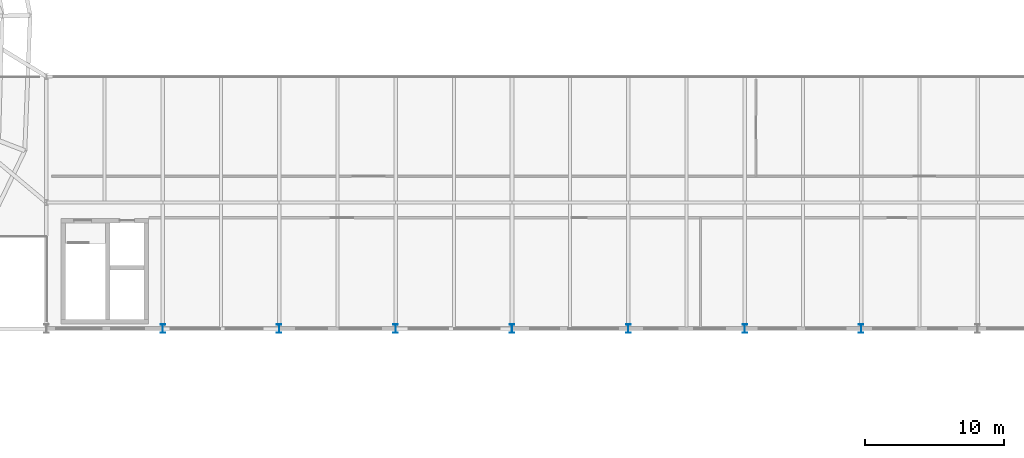
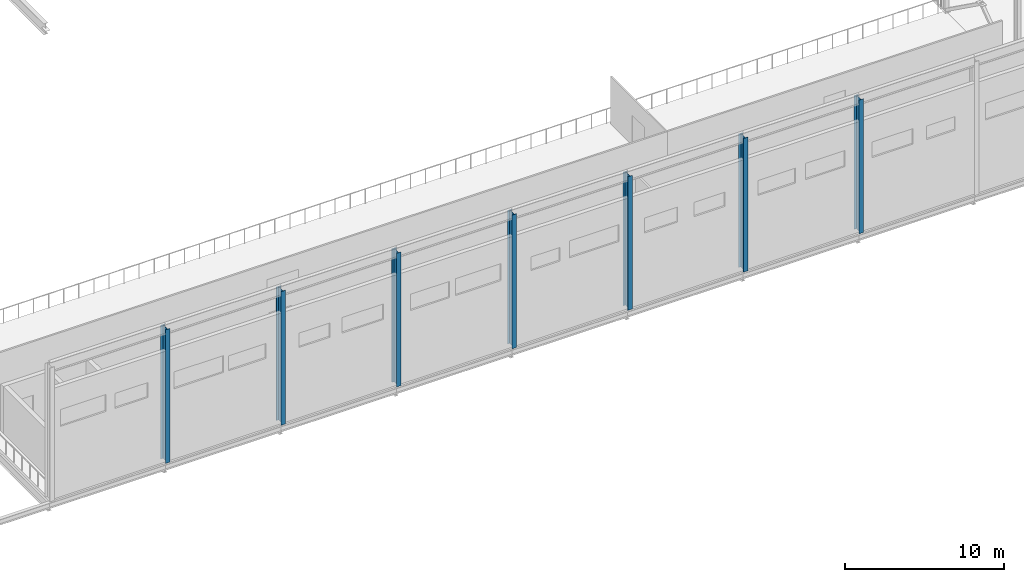
# One storey, part 4 of 61: 7 columns.
"""IFC4 building model written with IfcOpenShell, lengths in metres."""

from ifc_helpers import new_model, si_unit, derived_unit, direction, frame, origin, origin_2d, place, context, subcontext, project, spatial, i_section, extrude, material, material_profile, profile_set, type_object, element, save


model = new_model("IFC4")

# Units and contexts
model_context = context("Model", 3, precision=1e-05, world=origin(), true_north=direction((0.0, 1.0)))
body_context = subcontext(model_context, "Body", "Model", "MODEL_VIEW")
ifc_project = project(units=[si_unit("LENGTHUNIT", "METRE"), si_unit("AREAUNIT", "SQUARE_METRE"), si_unit("VOLUMEUNIT", "CUBIC_METRE"), si_unit("PLANEANGLEUNIT", "RADIAN"), si_unit("MASSUNIT", "GRAM", prefix="KILO"), derived_unit("THERMALTRANSMITTANCEUNIT", [(si_unit("MASSUNIT", "GRAM", prefix="KILO"), 1), (si_unit("TIMEUNIT", "SECOND"), -3), (si_unit("THERMODYNAMICTEMPERATUREUNIT", "KELVIN"), -1)])], contexts=[model_context])

# Site, building, storey
site_placement = place(None, origin())
site = spatial("IfcSite", under=ifc_project, at=site_placement, CompositionType="ELEMENT")
building_placement = place(site_placement, origin())
building = spatial("IfcBuilding", under=site, at=building_placement, Name="Makaiwela Harbour Ferry Terminal", CompositionType="ELEMENT")
storey_placement = place(building_placement, frame((0.0, 0.0, 13.800048828125)))
storey = spatial("IfcBuildingStorey", under=building, at=storey_placement, Name="L03", CompositionType="ELEMENT", Elevation=13.800048828125)

# Columns
ifc_material = material(Name="Steel ASTM A992 Grade 50", Category="steel")
ifc_material_profile = material_profile(ifc_material, i_section(OverallWidth=0.324951171875, OverallDepth=0.615966796875, WebThickness=0.013916015625, FlangeThickness=0.021484375, at=origin_2d()), Name="W24X117")
ifc_profile_set = profile_set([ifc_material_profile], Name="Steel ASTM A992 Grade 50")
column_type = type_object("IfcColumnType", Name="STR-COL-W24X117", PredefinedType="COLUMN", material=ifc_profile_set)
for number, where, z_axis, x_axis, name in (
    (1, (71.39990234375, 49.39990234375, 0.0), (0.0, 0.0, 1.0), (1.0, 0.0, 0.0), "Structural Column C-02"),
    (2, (79.800048828125, 49.39990234375, 0.0), (0.0, 0.0, 1.0), (1.0, 0.0, 0.0), "Structural Column C-02"),
    (3, (88.199951171875, 49.39990234375, 0.0), (0.0, 0.0, 1.0), (1.0, 0.0, 0.0), "Structural Column C-02"),
    (4, (96.60009765625, 49.39990234375, 0.0), (0.0, 0.0, 1.0), (1.0, 0.0, 0.0), "Structural Column C-02"),
    (5, (105.0, 49.39990234375, 0.0), (0.0, 0.0, 1.0), (1.0, 0.0, 0.0), "Structural Column C-02"),
    (6, (113.39990234375, 49.39990234375, 0.0), (0.0, 0.0, 1.0), (1.0, 0.0, 0.0), "Structural Column C-02"),
    (7, (121.800048828125, 49.39990234375, 0.0), (0.0, 0.0, 1.0), (1.0, 0.0, 0.0), "Structural Column C-02"),
):
    element("IfcColumn", number, at=place(storey_placement, frame(where, z_axis=z_axis, x_axis=x_axis)), inside=storey, type_object=column_type, Name=name, PredefinedType="COLUMN", context=body_context, shape_type="SweptSolid", body=[
        extrude(i_section(OverallWidth=0.324951171875, OverallDepth=0.615966796875, WebThickness=0.013916015625, FlangeThickness=0.021484375, at=origin_2d()), origin(), (0.0, 0.0, 1.0), 10.27294921875),
    ])

save(model, "model.ifc")
